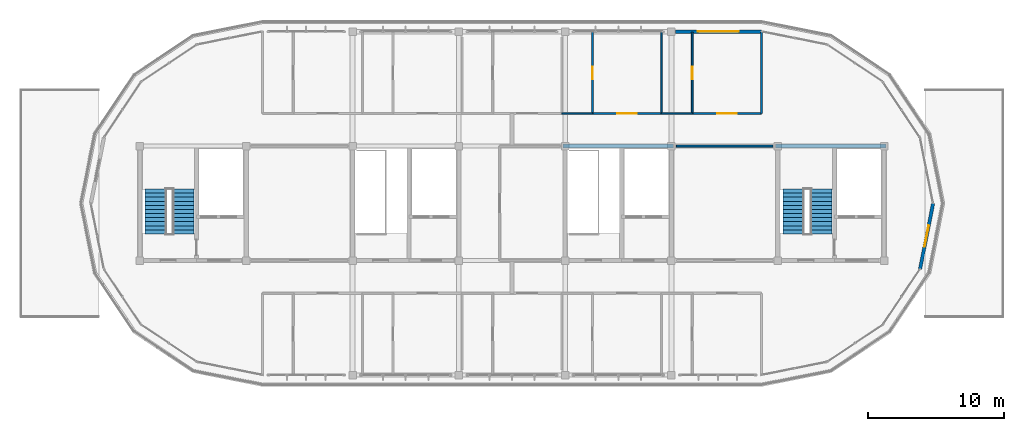
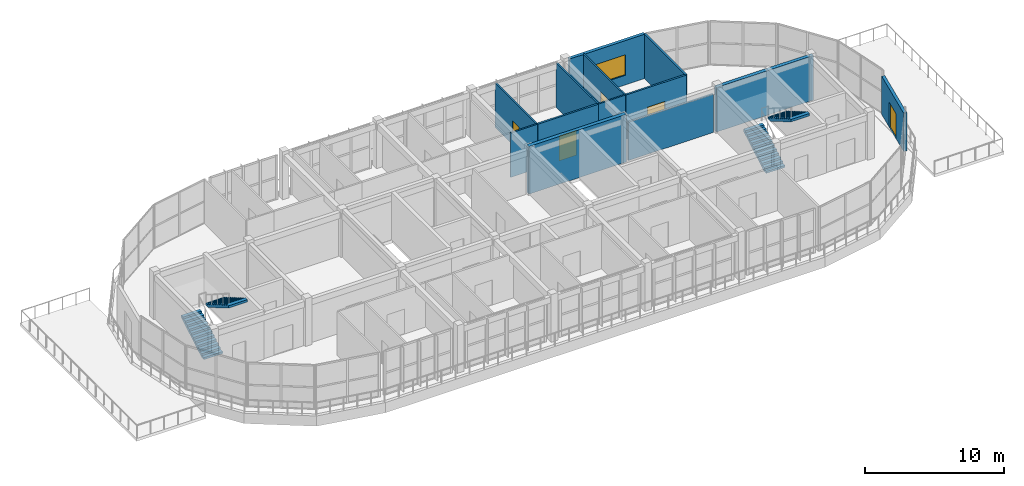
# One storey, part 31 of 33: 13 walls, 5 doors, 4 stair flights, 1 window, 6 openings, 2 elements without a shape of their own.
"""IFC4 building model written with IfcOpenShell, lengths in metres."""

from ifc_helpers import new_model, si_unit, direction, frame, frame_2d, origin, place, context, subcontext, project, spatial, polyline, rectangle, outline, extrude, material, layer, layer_set, type_object, element, fill, aggregate, save


model = new_model("IFC4")

# Units and contexts
model_context = context("Model", 3, precision=1e-05, world=origin(), true_north=direction((0.0, 1.0)))
body_context = subcontext(model_context, "Body", "Model", "MODEL_VIEW")
ifc_project = project(units=[si_unit("LENGTHUNIT", "METRE"), si_unit("AREAUNIT", "SQUARE_METRE"), si_unit("VOLUMEUNIT", "CUBIC_METRE"), si_unit("PLANEANGLEUNIT", "RADIAN"), si_unit("MASSUNIT", "GRAM", prefix="KILO")], contexts=[model_context])

# Site, building, storey
site_placement = place(None, origin())
site = spatial("IfcSite", under=ifc_project, at=site_placement, CompositionType="ELEMENT")
building_placement = place(site_placement, origin())
building = spatial("IfcBuilding", under=site, at=building_placement, Name="Zizhar Promenade General Hospital", CompositionType="ELEMENT")
storey_placement = place(building_placement, frame((0.0, 0.0, 39.0)))
storey = spatial("IfcBuildingStorey", under=building, at=storey_placement, Name="L09", CompositionType="ELEMENT", Elevation=39.0)

# Wall, opening, door
ifc_material_1 = material(Name="Precast concrete C40/50", Category="concrete")
ifc_layer_1 = layer(ifc_material_1, 0.2451171875)
ifc_layer_set_1 = layer_set([ifc_layer_1], Name="Precast concrete C40/50")
wall_type_1 = type_object("IfcWallType", Name="EW-PC-245", PredefinedType="STANDARD", material=ifc_layer_set_1)
wall_1_placement = place(storey_placement, frame((105.0, 12.60009765625, 0.0), z_axis=(0.0, 0.0, 1.0), x_axis=(-0.195065517012, -0.980790214099, 0.0)))
wall_1 = element("IfcWall", 1, at=wall_1_placement, inside=storey, type_object=wall_type_1, Name="Ward East Terrace Portal Wall L09", PredefinedType="STANDARD", context=body_context, shape_type="SweptSolid", body=[
    extrude(rectangle(XDim=4.916259765625, YDim=0.2451171875, at=frame_2d((2.4580078125, 0.0))), origin(), (0.0, 0.0, 1.0), 3.3701171875),
])
opening_1_placement = place(wall_1_placement, frame((1.658203125, 0.0, 0.0)))
opening_1 = element("IfcOpeningElement", 2, at=opening_1_placement, cuts=wall_1, Name="Opening ED-05", PredefinedType="OPENING", context=body_context, shape_type="SweptSolid", body=[
    extrude(rectangle(XDim=1.60009765625, YDim=2.199951171875, at=frame_2d((0.800048828125, 1.10009765625))), frame((0.0, 0.132568359375, 0.0), z_axis=(0.0, -1.0, 0.0), x_axis=(1.0, 0.0, 0.0)), (0.0, 0.0, 1.0), 0.26513671875),
])
ifc_material_2 = material(Name="Anodised aluminium 6063-T6 and laminated safety glass", Category="aluminium")
door_type_1 = type_object("IfcDoorType", Name="DR-EXT-TERR-160x220", OperationType="DOUBLE_DOOR_SINGLE_SWING", PredefinedType="DOOR", material=ifc_material_2)
door_1_placement = place(opening_1_placement, origin())
door_1 = element("IfcDoor", 3, at=door_1_placement, inside=storey, type_object=door_type_1, Name="Level L09 East Recovery Terrace Door", OperationType="DOUBLE_DOOR_SINGLE_SWING", OverallHeight=2.199951171875, OverallWidth=1.60009765625, PredefinedType="DOOR", context=body_context, shape_type="SweptSolid", body=[
    extrude(rectangle(XDim=1.60009765625, YDim=2.199951171875, at=frame_2d((0.800048828125, 1.10009765625))), frame((0.0, 0.02490234375, 0.0), z_axis=(0.0, -1.0, 0.0), x_axis=(1.0, 0.0, 0.0)), (0.0, 0.0, 1.0), 0.050048828125),
])
fill(opening_1, door_1)

# Wall, opening, window
ifc_material_3 = material(Name="Precast concrete C40/50", Category="concrete")
ifc_layer_2 = layer(ifc_material_3, 0.260009765625)
ifc_layer_set_2 = layer_set([ifc_layer_2], Name="Precast concrete C40/50")
wall_type_2 = type_object("IfcWallType", Name="EW-PC-260", PredefinedType="STANDARD", material=ifc_layer_set_2)
wall_2_placement = place(storey_placement, frame((86.090087890625, 25.199951171875, 0.0), z_axis=(0.0, 0.0, 1.0), x_axis=(1.0, 0.0, 0.0)))
wall_2 = element("IfcWall", 4, at=wall_2_placement, inside=storey, type_object=wall_type_2, Name="Ward Precast Ribbon Pier L09-8-4", PredefinedType="STANDARD", context=body_context, shape_type="SweptSolid", body=[
    extrude(rectangle(XDim=6.309814453125, YDim=0.260009765625, at=frame_2d((3.15478515625, 0.0))), origin(), (0.0, 0.0, 1.0), 3.89990234375),
])
opening_2_placement = place(wall_2_placement, frame((1.655029296875, 0.0, 0.85009765625)))
opening_2 = element("IfcOpeningElement", 5, at=opening_2_placement, cuts=wall_2, Name="Opening W-16", PredefinedType="OPENING", context=body_context, shape_type="SweptSolid", body=[
    extrude(rectangle(XDim=3.0, YDim=1.800048828125, at=frame_2d((1.5, 0.89990234375))), frame((0.0, 0.14013671875, 0.0), z_axis=(0.0, -1.0, 0.0), x_axis=(1.0, 0.0, 0.0)), (0.0, 0.0, 1.0), 0.280029296875),
])
ifc_material_4 = material(Name="Anodised aluminium 6063-T6 and low-E glass", Category="aluminium")
window_type = type_object("IfcWindowType", Name="WIN-LOUNGE-300x180", PartitioningType="TRIPLE_PANEL_VERTICAL", PredefinedType="WINDOW", material=ifc_material_4)
window_placement = place(opening_2_placement, origin())
window = element("IfcWindow", 6, at=window_placement, inside=storey, type_object=window_type, Name="Ward Precast Ribbon Pier L09-8-4 Window 1", OverallHeight=1.800048828125, OverallWidth=3.0, PartitioningType="SINGLE_PANEL", PredefinedType="WINDOW", context=body_context, shape_type="SweptSolid", body=[
    extrude(rectangle(XDim=3.0, YDim=1.800048828125, at=frame_2d((1.5, 0.89990234375))), frame((0.0, 0.030029296875, 0.0), z_axis=(0.0, -1.0, 0.0), x_axis=(1.0, 0.0, 0.0)), (0.0, 0.0, 1.0), 0.06005859375),
])
fill(opening_2, window)

# Wall
ifc_material_5 = material(Name="Clinical consultation partition")
ifc_layer_3 = layer(ifc_material_5, 0.14501953125)
ifc_layer_set_3 = layer_set([ifc_layer_3], Name="Clinical consultation partition")
wall_type_3 = type_object("IfcWallType", Name="IW-CLN-145", PredefinedType="PARTITIONING", material=ifc_layer_set_3)
wall_3_placement = place(storey_placement, frame((86.159912109375, 16.800048828125, 0.0), z_axis=(0.0, 0.0, 1.0), x_axis=(1.0, 0.0, 0.0)))
element("IfcWall", 7, at=wall_3_placement, inside=storey, type_object=wall_type_3, Name="Accessible Visitor Lounge and Clean Utility L09 N Partition", PredefinedType="PARTITIONING", context=body_context, shape_type="SweptSolid", body=[
    extrude(rectangle(XDim=7.080078125, YDim=0.14501953125, at=frame_2d((3.5400390625, 0.0))), origin(), (0.0, 0.0, 1.0), 3.3701171875),
])

# Wall, opening, door
ifc_material_6 = material(Name="Acoustic patient bedroom partition")
ifc_layer_4 = layer(ifc_material_6, 0.155029296875)
ifc_layer_set_4 = layer_set([ifc_layer_4], Name="Acoustic patient bedroom partition")
wall_type_4 = type_object("IfcWallType", Name="IW-WARD-155", PredefinedType="PARTITIONING", material=ifc_layer_set_4)
wall_4_placement = place(storey_placement, frame((80.02001953125, 19.199951171875, 0.0), z_axis=(0.0, 0.0, 1.0), x_axis=(1.0, 0.0, 0.0)))
wall_4 = element("IfcWall", 8, at=wall_4_placement, inside=storey, type_object=wall_type_4, Name="Haematology Protective Isolation Ward L09-N04 S Partition", PredefinedType="PARTITIONING", context=body_context, shape_type="SweptSolid", body=[
    extrude(rectangle(XDim=5.050048828125, YDim=0.155029296875, at=frame_2d((2.52490234375, 0.0))), origin(), (0.0, 0.0, 1.0), 3.89990234375),
])
opening_3_placement = place(wall_4_placement, frame((1.800048828125, 0.0, 0.0)))
opening_3 = element("IfcOpeningElement", 9, at=opening_3_placement, cuts=wall_4, Name="Opening D-07", PredefinedType="OPENING", context=body_context, shape_type="SweptSolid", body=[
    extrude(rectangle(XDim=1.449951171875, YDim=2.199951171875, at=frame_2d((0.72509765625, 1.10009765625))), frame((0.0, 0.08740234375, 0.0), z_axis=(0.0, -1.0, 0.0), x_axis=(1.0, 0.0, 0.0)), (0.0, 0.0, 1.0), 0.175048828125),
])
ifc_material_7 = material(Name="Fire-rated timber airlock bed leaf", Category="wood")
door_type_2 = type_object("IfcDoorType", Name="DR-BED-ISO-145x220", OperationType="NOTDEFINED", PredefinedType="DOOR", material=ifc_material_7)
door_2_placement = place(opening_3_placement, origin())
door_2 = element("IfcDoor", 10, at=door_2_placement, inside=storey, type_object=door_type_2, Name="Haematology Protective Isolation Ward L09-N04 Door", OperationType="SINGLE_SWING_LEFT", OverallHeight=2.199951171875, OverallWidth=1.449951171875, PredefinedType="DOOR", context=body_context, shape_type="SweptSolid", body=[
    extrude(rectangle(XDim=1.449951171875, YDim=2.199951171875, at=frame_2d((0.72509765625, 1.10009765625))), frame((0.0, 0.02490234375, 0.0), z_axis=(0.0, -1.0, 0.0), x_axis=(1.0, 0.0, 0.0)), (0.0, 0.0, 1.0), 0.050048828125),
])
fill(opening_3, door_2)

wall_5_placement = place(storey_placement, frame((87.340087890625, 19.199951171875, 0.0), z_axis=(0.0, 0.0, 1.0), x_axis=(1.0, 0.0, 0.0)))
wall_5 = element("IfcWall", 11, at=wall_5_placement, inside=storey, type_object=wall_type_4, Name="Oncology Isolation Ward L09-N05 S Partition", PredefinedType="PARTITIONING", context=body_context, shape_type="SweptSolid", body=[
    extrude(rectangle(XDim=5.059814453125, YDim=0.155029296875, at=frame_2d((2.52978515625, 0.0))), origin(), (0.0, 0.0, 1.0), 3.89990234375),
])
opening_4_placement = place(wall_5_placement, frame((1.804931640625, 0.0, 0.0)))
opening_4 = element("IfcOpeningElement", 12, at=opening_4_placement, cuts=wall_5, Name="Opening D-07", PredefinedType="OPENING", context=body_context, shape_type="SweptSolid", body=[
    extrude(rectangle(XDim=1.449951171875, YDim=2.199951171875, at=frame_2d((0.72509765625, 1.10009765625))), frame((0.0, 0.08740234375, 0.0), z_axis=(0.0, -1.0, 0.0), x_axis=(1.0, 0.0, 0.0)), (0.0, 0.0, 1.0), 0.175048828125),
])
door_3_placement = place(opening_4_placement, origin())
door_3 = element("IfcDoor", 13, at=door_3_placement, inside=storey, type_object=door_type_2, Name="Oncology Isolation Ward L09-N05 Door", OperationType="SINGLE_SWING_LEFT", OverallHeight=2.199951171875, OverallWidth=1.449951171875, PredefinedType="DOOR", context=body_context, shape_type="SweptSolid", body=[
    extrude(rectangle(XDim=1.449951171875, YDim=2.199951171875, at=frame_2d((0.72509765625, 1.10009765625))), frame((0.0, 0.02490234375, 0.0), z_axis=(0.0, -1.0, 0.0), x_axis=(1.0, 0.0, 0.0)), (0.0, 0.0, 1.0), 0.050048828125),
])
fill(opening_4, door_3)

# Walls
wall_6_placement = place(storey_placement, frame((92.39990234375, 19.199951171875, 0.0), z_axis=(0.0, 0.0, 1.0), x_axis=(0.0, 1.0, 0.0)))
element("IfcWall", 14, at=wall_6_placement, inside=storey, type_object=wall_type_4, Name="Oncology Isolation Ward L09-N05 E Partition", PredefinedType="PARTITIONING", context=body_context, shape_type="SweptSolid", body=[
    extrude(rectangle(XDim=5.955078125, YDim=0.155029296875, at=frame_2d((2.9775390625, 0.0))), origin(), (0.0, 0.0, 1.0), 3.89990234375),
])
ifc_material_8 = material(Name="Moisture-resistant en-suite wet partition")
ifc_layer_5 = layer(ifc_material_8, 0.125)
ifc_layer_set_5 = layer_set([ifc_layer_5], Name="Moisture-resistant en-suite wet partition")
wall_type_5 = type_object("IfcWallType", Name="IW-WET-125", PredefinedType="PARTITIONING", material=ifc_layer_set_5)
wall_7_placement = place(storey_placement, frame((77.760009765625, 19.199951171875, 0.0), z_axis=(0.0, 0.0, 1.0), x_axis=(1.0, 0.0, 0.0)))
element("IfcWall", 15, at=wall_7_placement, inside=storey, type_object=wall_type_5, Name="En-Suite Patient Bathroom L09-N04 S Partition", PredefinedType="PARTITIONING", context=body_context, shape_type="SweptSolid", body=[
    extrude(rectangle(XDim=2.25, YDim=0.125, at=frame_2d((1.125, 0.0))), origin(), (0.0, 0.0, 1.0), 3.89990234375),
])

# Wall, opening, door
wall_8_placement = place(storey_placement, frame((80.010009765625, 19.199951171875, 0.0), z_axis=(0.0, 0.0, 1.0), x_axis=(0.0, 1.0, 0.0)))
wall_8 = element("IfcWall", 16, at=wall_8_placement, inside=storey, type_object=wall_type_5, Name="En-Suite Patient Bathroom L09-N04 E Partition", PredefinedType="PARTITIONING", context=body_context, shape_type="SweptSolid", body=[
    extrude(rectangle(XDim=5.955078125, YDim=0.125, at=frame_2d((2.9775390625, 0.0))), origin(), (0.0, 0.0, 1.0), 3.89990234375),
])
opening_5_placement = place(wall_8_placement, frame((2.517578125, 0.0, 0.0)))
opening_5 = element("IfcOpeningElement", 17, at=opening_5_placement, cuts=wall_8, Name="Opening D-18", PredefinedType="OPENING", context=body_context, shape_type="SweptSolid", body=[
    extrude(rectangle(XDim=0.919921875, YDim=2.10009765625, at=frame_2d((0.4599609375, 1.050048828125))), frame((0.0, 0.072509765625, 0.0), z_axis=(0.0, -1.0, 0.0), x_axis=(1.0, 0.0, 0.0)), (0.0, 0.0, 1.0), 0.14501953125),
])
ifc_material_9 = material(Name="Moisture-resistant timber en-suite leaf", Category="wood")
door_type_3 = type_object("IfcDoorType", Name="DR-ENS-STD-092x210", OperationType="NOTDEFINED", PredefinedType="DOOR", material=ifc_material_9)
door_4_placement = place(opening_5_placement, origin())
door_4 = element("IfcDoor", 18, at=door_4_placement, inside=storey, type_object=door_type_3, Name="En-Suite Patient Bathroom L09-N04 Door", OperationType="SINGLE_SWING_LEFT", OverallHeight=2.10009765625, OverallWidth=0.919921875, PredefinedType="DOOR", context=body_context, shape_type="SweptSolid", body=[
    extrude(rectangle(XDim=0.919921875, YDim=2.10009765625, at=frame_2d((0.4599609375, 1.050048828125))), frame((0.0, 0.02490234375, 0.0), z_axis=(0.0, -1.0, 0.0), x_axis=(1.0, 0.0, 0.0)), (0.0, 0.0, 1.0), 0.050048828125),
])
fill(opening_5, door_4)

# Walls
wall_9_placement = place(storey_placement, frame((85.080078125, 19.199951171875, 0.0), z_axis=(0.0, 0.0, 1.0), x_axis=(1.0, 0.0, 0.0)))
element("IfcWall", 19, at=wall_9_placement, inside=storey, type_object=wall_type_5, Name="En-Suite Patient Bathroom L09-N05 S Partition", PredefinedType="PARTITIONING", context=body_context, shape_type="SweptSolid", body=[
    extrude(rectangle(XDim=2.25, YDim=0.125, at=frame_2d((1.125, 0.0))), origin(), (0.0, 0.0, 1.0), 3.89990234375),
])
wall_10_placement = place(storey_placement, frame((85.080078125, 19.199951171875, 0.0), z_axis=(0.0, 0.0, 1.0), x_axis=(0.0, 1.0, 0.0)))
element("IfcWall", 20, at=wall_10_placement, inside=storey, type_object=wall_type_5, Name="En-Suite Patient Bathroom L09-N05 W Partition", PredefinedType="PARTITIONING", context=body_context, shape_type="SweptSolid", body=[
    extrude(rectangle(XDim=5.955078125, YDim=0.125, at=frame_2d((2.9775390625, 0.0))), origin(), (0.0, 0.0, 1.0), 3.89990234375),
])

# Wall, opening, door
wall_11_placement = place(storey_placement, frame((87.330078125, 19.199951171875, 0.0), z_axis=(0.0, 0.0, 1.0), x_axis=(0.0, 1.0, 0.0)))
wall_11 = element("IfcWall", 21, at=wall_11_placement, inside=storey, type_object=wall_type_5, Name="En-Suite Patient Bathroom L09-N05 E Partition", PredefinedType="PARTITIONING", context=body_context, shape_type="SweptSolid", body=[
    extrude(rectangle(XDim=5.955078125, YDim=0.125, at=frame_2d((2.9775390625, 0.0))), origin(), (0.0, 0.0, 1.0), 3.89990234375),
])
opening_6_placement = place(wall_11_placement, frame((2.517578125, 0.0, 0.0)))
opening_6 = element("IfcOpeningElement", 22, at=opening_6_placement, cuts=wall_11, Name="Opening D-18", PredefinedType="OPENING", context=body_context, shape_type="SweptSolid", body=[
    extrude(rectangle(XDim=0.919921875, YDim=2.10009765625, at=frame_2d((0.4599609375, 1.050048828125))), frame((0.0, 0.072509765625, 0.0), z_axis=(0.0, -1.0, 0.0), x_axis=(1.0, 0.0, 0.0)), (0.0, 0.0, 1.0), 0.14501953125),
])
door_5_placement = place(opening_6_placement, origin())
door_5 = element("IfcDoor", 23, at=door_5_placement, inside=storey, type_object=door_type_3, Name="En-Suite Patient Bathroom L09-N05 Door", OperationType="SINGLE_SWING_LEFT", OverallHeight=2.10009765625, OverallWidth=0.919921875, PredefinedType="DOOR", context=body_context, shape_type="SweptSolid", body=[
    extrude(rectangle(XDim=0.919921875, YDim=2.10009765625, at=frame_2d((0.4599609375, 1.050048828125))), frame((0.0, 0.02490234375, 0.0), z_axis=(0.0, -1.0, 0.0), x_axis=(1.0, 0.0, 0.0)), (0.0, 0.0, 1.0), 0.050048828125),
])
fill(opening_6, door_5)

# Walls
ifc_material_10 = material(Name="Concrete C40/50", Category="concrete")
ifc_layer_6 = layer(ifc_material_10, 0.300048828125)
ifc_layer_set_6 = layer_set([ifc_layer_6], Name="Concrete C40/50")
wall_type_6 = type_object("IfcWallType", Name="WL-CORE-300", PredefinedType="SHEAR", material=ifc_layer_set_6)
wall_12_placement = place(storey_placement, frame((77.85009765625, 16.800048828125, 0.0), z_axis=(0.0, 0.0, 1.0), x_axis=(1.0, 0.0, 0.0)))
element("IfcWall", 24, at=wall_12_placement, inside=storey, type_object=wall_type_6, Name="Core C4 North Shear Wall L09", PredefinedType="SHEAR", context=body_context, shape_type="SweptSolid", body=[
    extrude(rectangle(XDim=8.099853515625, YDim=0.300048828125, at=frame_2d((4.0498046875, 0.0))), origin(), (0.0, 0.0, 1.0), 4.199951171875),
])
wall_13_placement = place(storey_placement, frame((93.449951171875, 16.800048828125, 0.0), z_axis=(0.0, 0.0, 1.0), x_axis=(1.0, 0.0, 0.0)))
element("IfcWall", 25, at=wall_13_placement, inside=storey, type_object=wall_type_6, Name="Core C5 North Shear Wall L09", PredefinedType="SHEAR", context=body_context, shape_type="SweptSolid", body=[
    extrude(rectangle(XDim=8.10009765625, YDim=0.300048828125, at=frame_2d((4.050048828125, 0.0))), origin(), (0.0, 0.0, 1.0), 3.919921875),
])

# Stair, stair flights
ifc_material_11 = material(Name="Concrete C35/45", Category="concrete")
stair_type = type_object("IfcStairType", Name="STR-DOG-420", PredefinedType="HALF_TURN_STAIR", material=ifc_material_11)
stair_1_placement = place(storey_placement, origin())
stair_1 = element("IfcStair", 26, at=stair_1_placement, inside=storey, type_object=stair_type, Name="Exit Stair ST-02 (L09 to Roof)", PredefinedType="HALF_TURN_STAIR")
ifc_material_12 = material(Name="Concrete C35/45", Category="concrete")
stair_flight_type = type_object("IfcStairFlightType", Name="SFL-DOG-420", PredefinedType="STRAIGHT", material=ifc_material_12)
stair_flight_1_placement = place(storey_placement, frame((47.949951171875, 10.35009765625, 0.0), z_axis=(0.0, 0.0, 1.0), x_axis=(0.0, 1.0, 0.0)))
stair_flight_1 = element("IfcStairFlight", 27, at=stair_flight_1_placement, type_object=stair_flight_type, Name="ST-02C flight 1", NumberOfRisers=12, NumberOfTreads=11, PredefinedType="STRAIGHT", RiserHeight=0.175, TreadLength=0.3, context=body_context, shape_type="SweptSolid", body=[
    extrude(outline(polyline([(0.0, 0.0), (0.0, 0.175048828125), (0.300048828125, 0.175048828125), (0.300048828125, 0.35009765625), (0.60009765625, 0.35009765625), (0.60009765625, 0.52490234375), (0.89990234375, 0.52490234375), (0.89990234375, 0.699951171875), (1.199951171875, 0.699951171875), (1.199951171875, 0.875), (1.5, 0.875), (1.5, 1.050048828125), (1.800048828125, 1.050048828125), (1.800048828125, 1.22509765625), (2.10009765625, 1.22509765625), (2.10009765625, 1.39990234375), (2.39990234375, 1.39990234375), (2.39990234375, 1.574951171875), (2.699951171875, 1.574951171875), (2.699951171875, 1.75), (3.0, 1.75), (3.0, 1.925048828125), (3.300048828125, 1.925048828125), (3.300048828125, 2.10009765625), (3.300048828125, 1.716796875), (0.357177734375, 0.0), (0.0, 0.0)])), frame((0.0, 0.780029296875, 0.0), z_axis=(0.0, -1.0, 0.0), x_axis=(1.0, 0.0, 0.0)), (0.0, 0.0, 1.0), 1.56005859375),
])
stair_flight_2_placement = place(storey_placement, frame((49.989990234375, 13.64990234375, 2.10009765625), z_axis=(0.0, 0.0, 1.0), x_axis=(0.0, -1.0, 0.0)))
stair_flight_2 = element("IfcStairFlight", 28, at=stair_flight_2_placement, type_object=stair_flight_type, Name="ST-02C flight 2", NumberOfRisers=12, NumberOfTreads=11, PredefinedType="STRAIGHT", RiserHeight=0.175, TreadLength=0.3, context=body_context, shape_type="SweptSolid", body=[
    extrude(outline(polyline([(0.0, 0.0), (0.0, 0.175048828125), (0.300048828125, 0.175048828125), (0.300048828125, 0.35009765625), (0.60009765625, 0.35009765625), (0.60009765625, 0.52490234375), (0.89990234375, 0.52490234375), (0.89990234375, 0.699951171875), (1.199951171875, 0.699951171875), (1.199951171875, 0.875), (1.5, 0.875), (1.5, 1.050048828125), (1.800048828125, 1.050048828125), (1.800048828125, 1.22509765625), (2.10009765625, 1.22509765625), (2.10009765625, 1.39990234375), (2.39990234375, 1.39990234375), (2.39990234375, 1.574951171875), (2.699951171875, 1.574951171875), (2.699951171875, 1.75), (3.0, 1.75), (3.0, 1.925048828125), (3.300048828125, 1.925048828125), (3.300048828125, 2.10009765625), (3.300048828125, 1.716796875), (0.357177734375, 0.0), (0.0, 0.0)])), frame((0.0, 0.780029296875, 0.0), z_axis=(0.0, -1.0, 0.0), x_axis=(1.0, 0.0, 0.0)), (0.0, 0.0, 1.0), 1.56005859375),
])
aggregate(stair_1, [stair_flight_1, stair_flight_2])

stair_2_placement = place(storey_placement, origin())
stair_2 = element("IfcStair", 29, at=stair_2_placement, inside=storey, type_object=stair_type, Name="Exit Stair ST-05 (L09 to Roof)", PredefinedType="HALF_TURN_STAIR")
stair_flight_3_placement = place(storey_placement, frame((94.75, 10.35009765625, 0.0), z_axis=(0.0, 0.0, 1.0), x_axis=(0.0, 1.0, 0.0)))
stair_flight_3 = element("IfcStairFlight", 30, at=stair_flight_3_placement, type_object=stair_flight_type, Name="ST-05C flight 1", NumberOfRisers=12, NumberOfTreads=11, PredefinedType="STRAIGHT", RiserHeight=0.175, TreadLength=0.3, context=body_context, shape_type="SweptSolid", body=[
    extrude(outline(polyline([(0.0, 0.0), (0.0, 0.175048828125), (0.300048828125, 0.175048828125), (0.300048828125, 0.35009765625), (0.60009765625, 0.35009765625), (0.60009765625, 0.52490234375), (0.89990234375, 0.52490234375), (0.89990234375, 0.699951171875), (1.199951171875, 0.699951171875), (1.199951171875, 0.875), (1.5, 0.875), (1.5, 1.050048828125), (1.800048828125, 1.050048828125), (1.800048828125, 1.22509765625), (2.10009765625, 1.22509765625), (2.10009765625, 1.39990234375), (2.39990234375, 1.39990234375), (2.39990234375, 1.574951171875), (2.699951171875, 1.574951171875), (2.699951171875, 1.75), (3.0, 1.75), (3.0, 1.925048828125), (3.300048828125, 1.925048828125), (3.300048828125, 2.10009765625), (3.300048828125, 1.716796875), (0.357177734375, 0.0), (0.0, 0.0)])), frame((0.0, 0.780029296875, 0.0), z_axis=(0.0, -1.0, 0.0), x_axis=(1.0, 0.0, 0.0)), (0.0, 0.0, 1.0), 1.56005859375),
])
stair_flight_4_placement = place(storey_placement, frame((96.7900390625, 13.64990234375, 2.10009765625), z_axis=(0.0, 0.0, 1.0), x_axis=(0.0, -1.0, 0.0)))
stair_flight_4 = element("IfcStairFlight", 31, at=stair_flight_4_placement, type_object=stair_flight_type, Name="ST-05C flight 2", NumberOfRisers=12, NumberOfTreads=11, PredefinedType="STRAIGHT", RiserHeight=0.175, TreadLength=0.3, context=body_context, shape_type="SweptSolid", body=[
    extrude(outline(polyline([(0.0, 0.0), (0.0, 0.175048828125), (0.300048828125, 0.175048828125), (0.300048828125, 0.35009765625), (0.60009765625, 0.35009765625), (0.60009765625, 0.52490234375), (0.89990234375, 0.52490234375), (0.89990234375, 0.699951171875), (1.199951171875, 0.699951171875), (1.199951171875, 0.875), (1.5, 0.875), (1.5, 1.050048828125), (1.800048828125, 1.050048828125), (1.800048828125, 1.22509765625), (2.10009765625, 1.22509765625), (2.10009765625, 1.39990234375), (2.39990234375, 1.39990234375), (2.39990234375, 1.574951171875), (2.699951171875, 1.574951171875), (2.699951171875, 1.75), (3.0, 1.75), (3.0, 1.925048828125), (3.300048828125, 1.925048828125), (3.300048828125, 2.10009765625), (3.300048828125, 1.716796875), (0.357177734375, 0.0), (0.0, 0.0)])), frame((0.0, 0.780029296875, 0.0), z_axis=(0.0, -1.0, 0.0), x_axis=(1.0, 0.0, 0.0)), (0.0, 0.0, 1.0), 1.56005859375),
])
aggregate(stair_2, [stair_flight_3, stair_flight_4])

save(model, "model.ifc")
